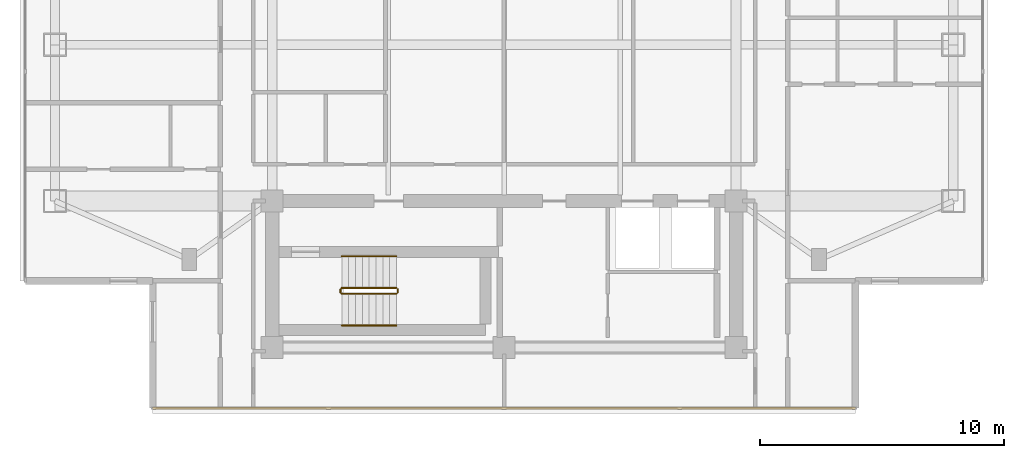
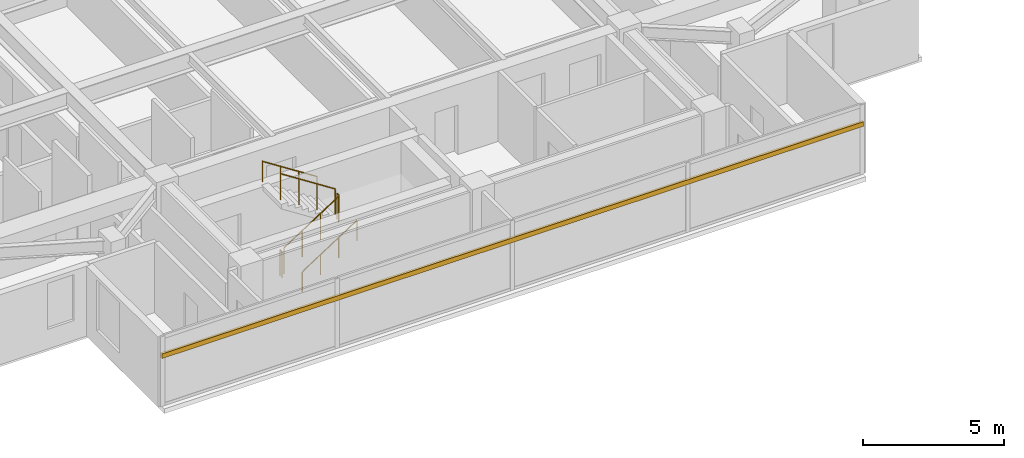
# One storey, part 20 of 24: 6 railings, 1 shading device.
"""IFC4 building model written with IfcOpenShell, lengths in metres."""

from ifc_helpers import new_model, si_unit, direction, frame, origin, origin_2d, place, context, subcontext, project, spatial, rectangle, circle, extrude, material, material_profile, profile_set, type_object, element, save


model = new_model("IFC4")

# Units and contexts
model_context = context("Model", 3, precision=1e-05, world=origin(), true_north=direction((0.0, 1.0)))
body_context = subcontext(model_context, "Body", "Model", "MODEL_VIEW")
ifc_project = project(units=[si_unit("LENGTHUNIT", "METRE"), si_unit("AREAUNIT", "SQUARE_METRE"), si_unit("VOLUMEUNIT", "CUBIC_METRE"), si_unit("PLANEANGLEUNIT", "RADIAN"), si_unit("MASSUNIT", "GRAM", prefix="KILO")], contexts=[model_context])

# Site, building, storey
site_placement = place(None, origin())
site = spatial("IfcSite", under=ifc_project, at=site_placement, CompositionType="ELEMENT")
building_placement = place(site_placement, origin())
building = spatial("IfcBuilding", under=site, at=building_placement, Name="Mirazonda Arch Towers", CompositionType="ELEMENT")
storey_placement = place(building_placement, frame((0.0, 0.0, 186.89990234375)))
storey = spatial("IfcBuildingStorey", under=building, at=storey_placement, Name="L53", CompositionType="ELEMENT", Elevation=186.89990234375)

# Shading device
ifc_material_1 = material(Name="Kiln-Fired Architectural Terracotta", Category="masonry")
ifc_material_profile = material_profile(ifc_material_1, rectangle(XDim=0.10009765625, YDim=0.199951171875, at=origin_2d()), Name="TERRA-BAG-100x200")
ifc_profile_set = profile_set([ifc_material_profile], Name="Kiln-Fired Architectural Terracotta")
shading_device_type = type_object("IfcShadingDeviceType", Name="BAGUETTE-2", PredefinedType="USERDEFINED", material=ifc_profile_set)
shading_device_placement = place(storey_placement, frame((34.89501953125, 9.912109375, 2.181640625), z_axis=(-1.0, 0.0, 0.0), x_axis=(0.0, -1.0, 0.0)))
element("IfcShadingDevice", 1, at=shading_device_placement, inside=storey, type_object=shading_device_type, Name="L53 Glazed Terracotta Sun-Screen Baguette CW-L53-T1-S", ObjectType="BAGUETTE", PredefinedType="USERDEFINED", context=body_context, shape_type="SweptSolid", body=[
    extrude(rectangle(XDim=0.10009765625, YDim=0.199951171875, at=origin_2d()), origin(), (0.0, 0.0, 1.0), 28.7900390625),
])

# Railings
ifc_material_2 = material(Name="Architectural Brushed Steel S355", Category="steel")
railing_type_1 = type_object("IfcRailingType", Name="GUARD-STAIR-1120", PredefinedType="GUARDRAIL", material=ifc_material_2)
railing_1_placement = place(storey_placement, frame((13.85009765625, 14.60009765625, 0.1806640625)))
element("IfcRailing", 2, at=railing_1_placement, inside=storey, type_object=railing_type_1, Name="L53 ST-T1S stair guard 1", PredefinedType="GUARDRAIL", context=body_context, shape_type="SweptSolid", body=[
    extrude(circle(Radius=0.02392578125, at=origin_2d()), frame((0.0, 0.0, 1.1259765625), z_axis=(0.840436612492, 0.0, 0.541909863706), x_axis=(0.0, 1.0, 0.0)), (0.0, 0.0, 1.0), 2.665283203125),
    extrude(circle(Radius=0.02099609375, at=origin_2d()), origin(), (0.0, 0.0, 1.0), 1.101806640625),
    extrude(circle(Radius=0.02099609375, at=origin_2d()), frame((0.74658203125, 0.0, 0.4814453125)), (0.0, 0.0, 1.0), 1.101806640625),
    extrude(circle(Radius=0.02099609375, at=origin_2d()), frame((1.493408203125, 0.0, 0.962890625)), (0.0, 0.0, 1.0), 1.101806640625),
    extrude(circle(Radius=0.02099609375, at=origin_2d()), frame((2.239990234375, 0.0, 1.4443359375)), (0.0, 0.0, 1.0), 1.101806640625),
])
railing_2_placement = place(storey_placement, frame((16.139892578125, 14.64990234375, 1.625)))
element("IfcRailing", 3, at=railing_2_placement, inside=storey, type_object=railing_type_1, Name="L53 ST-T1S stair guard 2", PredefinedType="GUARDRAIL", context=body_context, shape_type="SweptSolid", body=[
    extrude(circle(Radius=0.02392578125, at=origin_2d()), frame((0.0, 0.0, 1.1259765625), z_axis=(0.0, 1.0, 0.0), x_axis=(-1.0, 0.0, 0.0)), (0.0, 0.0, 1.0), 0.14013671875),
    extrude(circle(Radius=0.02099609375, at=origin_2d()), origin(), (0.0, 0.0, 1.0), 1.101806640625),
    extrude(circle(Radius=0.02099609375, at=origin_2d()), frame((0.0, 0.14013671875, 0.0)), (0.0, 0.0, 1.0), 1.101806640625),
])
railing_3_placement = place(storey_placement, frame((16.090087890625, 14.840087890625, 1.8056640625)))
element("IfcRailing", 4, at=railing_3_placement, inside=storey, type_object=railing_type_1, Name="L53 ST-T1S stair guard 3", PredefinedType="GUARDRAIL", context=body_context, shape_type="SweptSolid", body=[
    extrude(circle(Radius=0.02392578125, at=origin_2d()), frame((0.0, 0.0, 1.1259765625), z_axis=(-0.840436612492, 0.0, 0.541909863706), x_axis=(0.0, -1.0, 0.0)), (0.0, 0.0, 1.0), 2.665283203125),
    extrude(circle(Radius=0.02099609375, at=origin_2d()), origin(), (0.0, 0.0, 1.0), 1.101806640625),
    extrude(circle(Radius=0.02099609375, at=origin_2d()), frame((-0.74658203125, 0.0, 0.4814453125)), (0.0, 0.0, 1.0), 1.101806640625),
    extrude(circle(Radius=0.02099609375, at=origin_2d()), frame((-1.493408203125, 0.0, 0.962890625)), (0.0, 0.0, 1.0), 1.101806640625),
    extrude(circle(Radius=0.02099609375, at=origin_2d()), frame((-2.239990234375, 0.0, 1.4443359375)), (0.0, 0.0, 1.0), 1.101806640625),
])
railing_4_placement = place(storey_placement, frame((13.800048828125, 14.64990234375, 0.0)))
element("IfcRailing", 5, at=railing_4_placement, inside=storey, type_object=railing_type_1, Name="L53 ST-T1S stair guard 4", PredefinedType="GUARDRAIL", context=body_context, shape_type="SweptSolid", body=[
    extrude(circle(Radius=0.02392578125, at=origin_2d()), frame((0.0, 0.0, 1.1259765625), z_axis=(0.0, 1.0, 0.0), x_axis=(-1.0, 0.0, 0.0)), (0.0, 0.0, 1.0), 0.14013671875),
    extrude(circle(Radius=0.02099609375, at=origin_2d()), origin(), (0.0, 0.0, 1.0), 1.101806640625),
    extrude(circle(Radius=0.02099609375, at=origin_2d()), frame((0.0, 0.14013671875, 0.0)), (0.0, 0.0, 1.0), 1.101806640625),
])
railing_type_2 = type_object("IfcRailingType", Name="HANDRAIL-915", PredefinedType="HANDRAIL", material=ifc_material_2)
railing_5_placement = place(storey_placement, frame((13.85009765625, 13.300048828125, 0.1806640625)))
element("IfcRailing", 6, at=railing_5_placement, inside=storey, type_object=railing_type_2, Name="L53 ST-T1S stair handrail 1", PredefinedType="HANDRAIL", context=body_context, shape_type="SweptSolid", body=[
    extrude(circle(Radius=0.02392578125, at=origin_2d()), frame((0.0, 0.0, 0.8759765625), z_axis=(0.840436612492, 0.0, 0.541909863706), x_axis=(0.0, 1.0, 0.0)), (0.0, 0.0, 1.0), 2.665283203125),
    extrude(circle(Radius=0.02099609375, at=origin_2d()), origin(), (0.0, 0.0, 1.0), 0.851806640625),
    extrude(circle(Radius=0.02099609375, at=origin_2d()), frame((0.74658203125, 0.0, 0.4814453125)), (0.0, 0.0, 1.0), 0.851806640625),
    extrude(circle(Radius=0.02099609375, at=origin_2d()), frame((1.493408203125, 0.0, 0.962890625)), (0.0, 0.0, 1.0), 0.851806640625),
    extrude(circle(Radius=0.02099609375, at=origin_2d()), frame((2.239990234375, 0.0, 1.4443359375)), (0.0, 0.0, 1.0), 0.851806640625),
])
railing_6_placement = place(storey_placement, frame((16.090087890625, 16.139892578125, 1.8056640625)))
element("IfcRailing", 7, at=railing_6_placement, inside=storey, type_object=railing_type_2, Name="L53 ST-T1S stair handrail 2", PredefinedType="HANDRAIL", context=body_context, shape_type="SweptSolid", body=[
    extrude(circle(Radius=0.02392578125, at=origin_2d()), frame((0.0, 0.0, 0.8759765625), z_axis=(-0.840436612492, 0.0, 0.541909863706), x_axis=(0.0, -1.0, 0.0)), (0.0, 0.0, 1.0), 2.665283203125),
    extrude(circle(Radius=0.02099609375, at=origin_2d()), origin(), (0.0, 0.0, 1.0), 0.851806640625),
    extrude(circle(Radius=0.02099609375, at=origin_2d()), frame((-0.74658203125, 0.0, 0.4814453125)), (0.0, 0.0, 1.0), 0.851806640625),
    extrude(circle(Radius=0.02099609375, at=origin_2d()), frame((-1.493408203125, 0.0, 0.962890625)), (0.0, 0.0, 1.0), 0.851806640625),
    extrude(circle(Radius=0.02099609375, at=origin_2d()), frame((-2.239990234375, 0.0, 1.4443359375)), (0.0, 0.0, 1.0), 0.851806640625),
])

save(model, "model.ifc")
